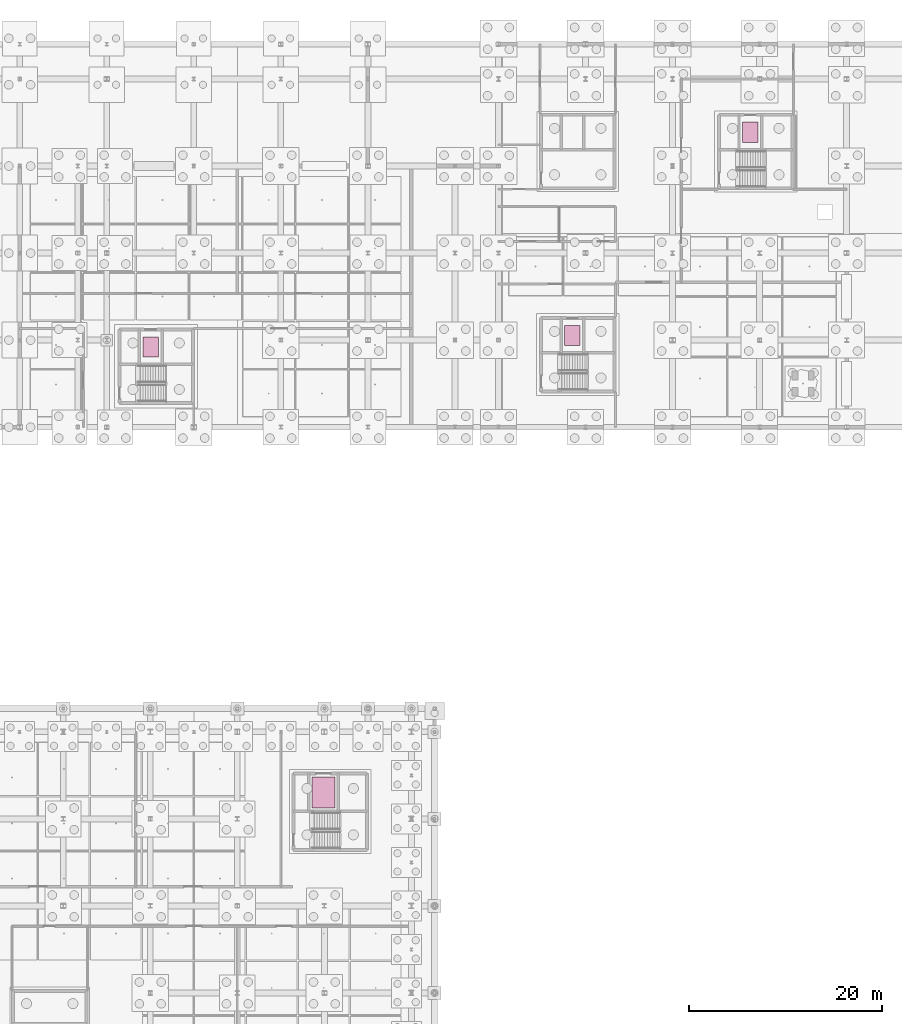
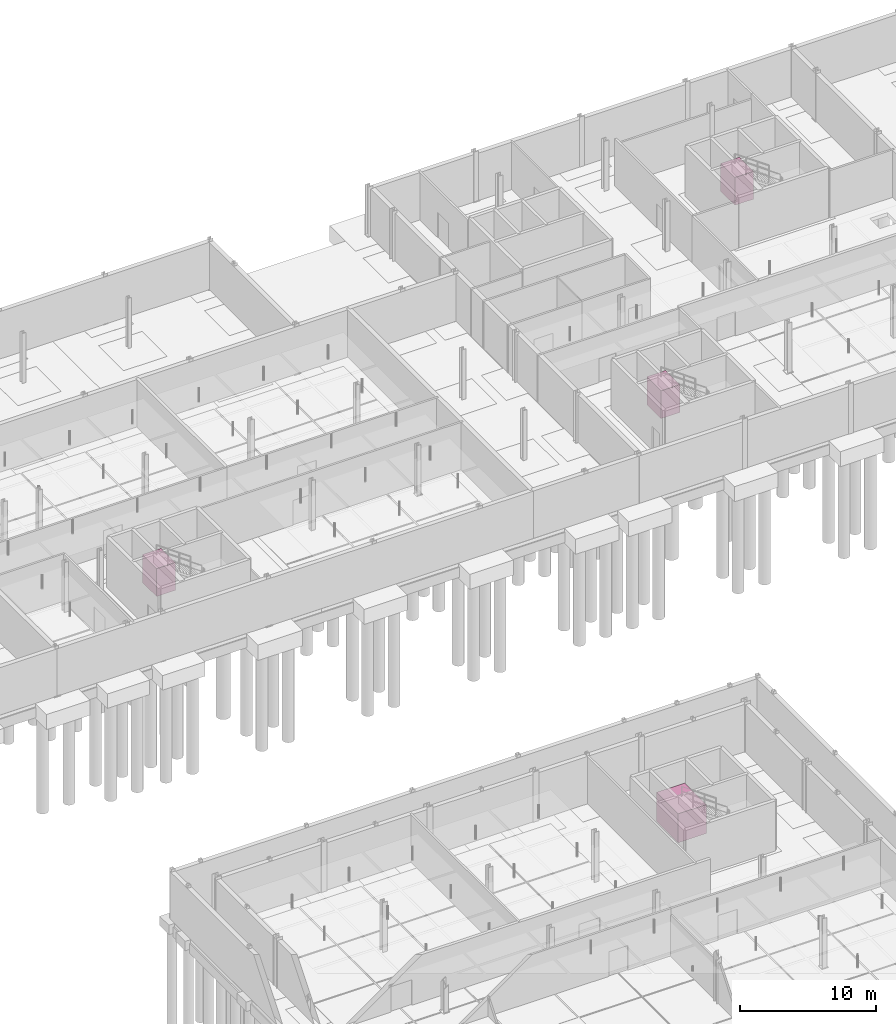
# One storey, part 48 of 48: 4 transport elements.
"""IFC4 building model written with IfcOpenShell, lengths in metres."""

from ifc_helpers import new_model, si_unit, direction, frame, origin, origin_2d, place, context, subcontext, project, spatial, rectangle, extrude, material, type_object, element, save


model = new_model("IFC4")

# Units and contexts
model_context = context("Model", 3, precision=1e-05, world=origin(), true_north=direction((0.0, 1.0)))
body_context = subcontext(model_context, "Body", "Model", "MODEL_VIEW")
ifc_project = project(units=[si_unit("LENGTHUNIT", "METRE"), si_unit("AREAUNIT", "SQUARE_METRE"), si_unit("VOLUMEUNIT", "CUBIC_METRE"), si_unit("PLANEANGLEUNIT", "RADIAN"), si_unit("MASSUNIT", "GRAM", prefix="KILO"), si_unit("THERMODYNAMICTEMPERATUREUNIT", "KELVIN"), si_unit("POWERUNIT", "WATT")], contexts=[model_context])

# Site, building, storey
site_placement = place(None, origin())
site = spatial("IfcSite", under=ifc_project, at=site_placement, CompositionType="ELEMENT")
building_placement = place(site_placement, origin())
building = spatial("IfcBuilding", under=site, at=building_placement, Name="Tallowbark Science Centre", CompositionType="ELEMENT")
storey_placement = place(building_placement, frame((0.0, 0.0, -4.5)))
storey = spatial("IfcBuildingStorey", under=building, at=storey_placement, Name="B1", CompositionType="ELEMENT", Elevation=-4.5)

# Transport elements
ifc_material = material(Name="Brushed Grade 304 Stainless Steel Lift Car Cab", Category="steel")
transport_element_type_1 = type_object("IfcTransportElementType", Name="LFT-FFG-2500A", PredefinedType="ELEVATOR", material=ifc_material)
transport_element_1_placement = place(storey_placement, frame((120.14990234375, 81.485107421875, 0.0), z_axis=(0.0, 0.0, 1.0), x_axis=(1.0, 0.0, 0.0)))
element("IfcTransportElement", 1, at=transport_element_1_placement, inside=storey, type_object=transport_element_type_1, Name="Lift LF-02 (B1-L05)", PredefinedType="ELEVATOR", context=body_context, shape_type="SweptSolid", body=[
    extrude(rectangle(XDim=1.60009765625, YDim=2.10009765625, at=origin_2d()), origin(), (0.0, 0.0, 1.0), 2.5),
])
transport_element_type_2 = type_object("IfcTransportElementType", Name="LFT-FFG-2500B", PredefinedType="ELEVATOR", material=ifc_material)
transport_element_2_placement = place(storey_placement, frame((138.550048828125, 102.485107421875, 0.0), z_axis=(0.0, 0.0, 1.0), x_axis=(1.0, 0.0, 0.0)))
element("IfcTransportElement", 2, at=transport_element_2_placement, inside=storey, type_object=transport_element_type_2, Name="Lift LF-03 (B1-L05)", PredefinedType="ELEVATOR", context=body_context, shape_type="SweptSolid", body=[
    extrude(rectangle(XDim=1.60009765625, YDim=2.10009765625, at=origin_2d()), origin(), (0.0, 0.0, 1.0), 2.5),
])
transport_element_type_3 = type_object("IfcTransportElementType", Name="LFT-GDS-3500", PredefinedType="ELEVATOR", material=ifc_material)
transport_element_3_placement = place(storey_placement, frame((94.39990234375, 34.235107421875, 0.0), z_axis=(0.0, 0.0, 1.0), x_axis=(1.0, 0.0, 0.0)))
element("IfcTransportElement", 3, at=transport_element_3_placement, inside=storey, type_object=transport_element_type_3, Name="Lift LF-06 (B1-L04)", PredefinedType="ELEVATOR", context=body_context, shape_type="SweptSolid", body=[
    extrude(rectangle(XDim=2.39990234375, YDim=3.199951171875, at=origin_2d()), origin(), (0.0, 0.0, 1.0), 2.60009765625),
])
transport_element_type_4 = type_object("IfcTransportElementType", Name="LFT-PAS-2000", PredefinedType="ELEVATOR", material=ifc_material)
transport_element_4_placement = place(storey_placement, frame((76.550048828125, 80.284912109375, 0.0), z_axis=(0.0, 0.0, 1.0), x_axis=(1.0, 0.0, 0.0)))
element("IfcTransportElement", 4, at=transport_element_4_placement, inside=storey, type_object=transport_element_type_4, Name="Lift LF-01 (B1-L03)", PredefinedType="ELEVATOR", context=body_context, shape_type="SweptSolid", body=[
    extrude(rectangle(XDim=1.60009765625, YDim=2.10009765625, at=origin_2d()), origin(), (0.0, 0.0, 1.0), 2.5),
])

save(model, "model.ifc")
